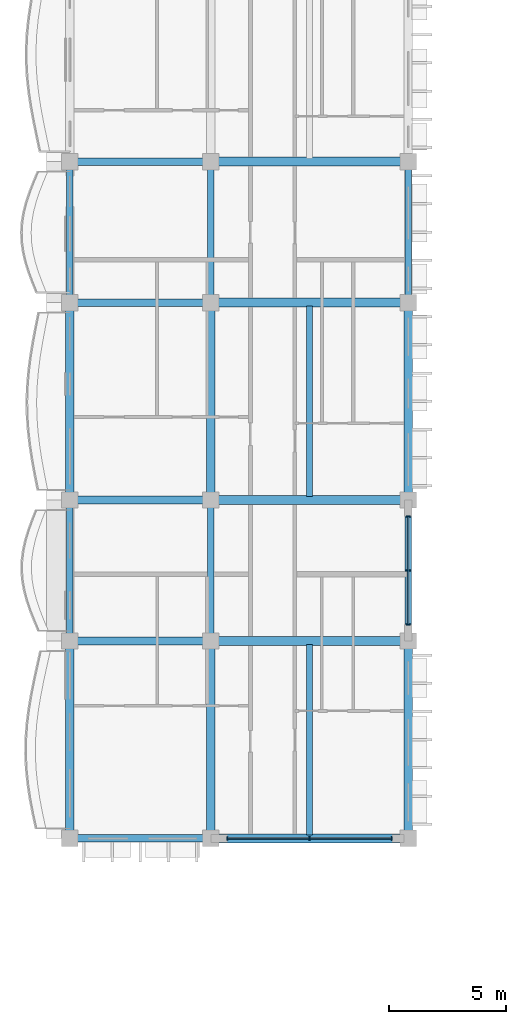
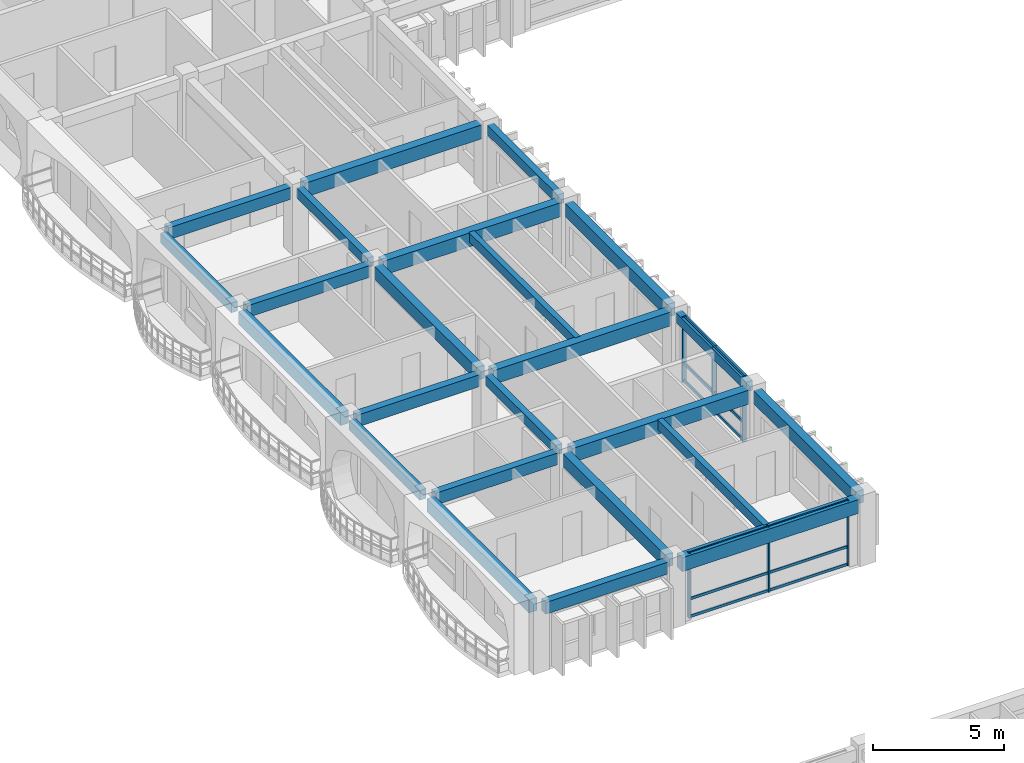
# One storey, part 7 of 76: 24 beams, 12 members, 2 elements without a shape of their own.
"""IFC4 building model written with IfcOpenShell, lengths in metres."""

from ifc_helpers import new_model, si_unit, direction, frame, origin, origin_2d, place, context, subcontext, project, spatial, rectangle, extrude, material, material_profile, profile_set, type_object, element, aggregate, save


model = new_model("IFC4")

# Units and contexts
model_context = context("Model", 3, precision=1e-05, world=origin(), true_north=direction((0.0, 1.0)))
body_context = subcontext(model_context, "Body", "Model", "MODEL_VIEW")
ifc_project = project(units=[si_unit("LENGTHUNIT", "METRE"), si_unit("AREAUNIT", "SQUARE_METRE"), si_unit("VOLUMEUNIT", "CUBIC_METRE"), si_unit("PLANEANGLEUNIT", "RADIAN"), si_unit("MASSUNIT", "GRAM", prefix="KILO"), si_unit("THERMODYNAMICTEMPERATUREUNIT", "KELVIN")], contexts=[model_context])

# Site, building, storey
site_placement = place(None, origin())
site = spatial("IfcSite", under=ifc_project, at=site_placement, CompositionType="ELEMENT")
building_placement = place(site_placement, origin())
building = spatial("IfcBuilding", under=site, at=building_placement, Name="Thalorik Housing Commons", CompositionType="ELEMENT")
storey_placement = place(building_placement, frame((0.0, 0.0, 18.0)))
storey = spatial("IfcBuildingStorey", under=building, at=storey_placement, Name="L05", CompositionType="ELEMENT", Elevation=18.0)

# Curtain wall, members
ifc_material_1 = material(Name="Anodised aluminium and solar-control low-E glass", Category="aluminium")
curtain_wall_type = type_object("IfcCurtainWallType", Name="ARC-CW-LOUNGE", PredefinedType="USERDEFINED", material=ifc_material_1)
curtain_wall_1_placement = place(storey_placement, origin())
curtain_wall_1 = element("IfcCurtainWall", 1, at=curtain_wall_1_placement, inside=storey, type_object=curtain_wall_type, Name="L05 Curtain Wall CW-RES-L05-A-025", ObjectType="CURTAIN WALL", PredefinedType="USERDEFINED")
ifc_material_2 = material(Name="Anodised aluminium 6063-T6", Category="aluminium")
ifc_material_profile_1 = material_profile(ifc_material_2, rectangle(XDim=0.06005859375, YDim=0.159912109375, at=origin_2d()), Name="ALU MUL 60x160", Category="aluminium")
ifc_profile_set_1 = profile_set([ifc_material_profile_1], Name="Anodised aluminium 6063-T6")
member_type_1 = type_object("IfcMemberType", Name="ARC-CW-MUL-60x160", PredefinedType="MULLION", material=ifc_profile_set_1)
member_1_placement = place(storey_placement, frame((15.10009765625, 72.0, 0.0), z_axis=(0.0, 0.0, 1.0), x_axis=(1.0, 0.0, 0.0)))
member_1 = element("IfcMember", 2, at=member_1_placement, type_object=member_type_1, Name="CW-RES-L05-A-025 Mullion 1", PredefinedType="MULLION", context=body_context, shape_type="SweptSolid", body=[
    extrude(rectangle(XDim=0.06005859375, YDim=0.159912109375, at=origin_2d()), origin(), (0.0, 0.0, 1.0), 3.0400390625),
])
member_2_placement = place(storey_placement, frame((18.60009765625, 72.0, 0.0), z_axis=(0.0, 0.0, 1.0), x_axis=(1.0, 0.0, 0.0)))
member_2 = element("IfcMember", 3, at=member_2_placement, type_object=member_type_1, Name="CW-RES-L05-A-025 Mullion 2", PredefinedType="MULLION", context=body_context, shape_type="SweptSolid", body=[
    extrude(rectangle(XDim=0.06005859375, YDim=0.159912109375, at=origin_2d()), origin(), (0.0, 0.0, 1.0), 3.0400390625),
])
member_3_placement = place(storey_placement, frame((22.10009765625, 72.0, 0.0), z_axis=(0.0, 0.0, 1.0), x_axis=(1.0, 0.0, 0.0)))
member_3 = element("IfcMember", 4, at=member_3_placement, type_object=member_type_1, Name="CW-RES-L05-A-025 Mullion 3", PredefinedType="MULLION", context=body_context, shape_type="SweptSolid", body=[
    extrude(rectangle(XDim=0.06005859375, YDim=0.159912109375, at=origin_2d()), origin(), (0.0, 0.0, 1.0), 3.0400390625),
])

curtain_wall_2_placement = place(storey_placement, origin())
curtain_wall_2 = element("IfcCurtainWall", 5, at=curtain_wall_2_placement, inside=storey, type_object=curtain_wall_type, Name="L05 Curtain Wall CW-RES-L05-A-026", ObjectType="CURTAIN WALL", PredefinedType="USERDEFINED")
ifc_material_profile_2 = material_profile(ifc_material_2, rectangle(XDim=0.06494140625, YDim=0.179931640625, at=origin_2d()), Name="ALU MUL 65x180", Category="aluminium")
ifc_profile_set_2 = profile_set([ifc_material_profile_2], Name="Anodised aluminium 6063-T6")
member_type_2 = type_object("IfcMemberType", Name="ARC-CW-MUL-65x180", PredefinedType="MULLION", material=ifc_profile_set_2)
member_4_placement = place(storey_placement, frame((22.800048828125, 81.10009765625, 0.0), z_axis=(0.0, 0.0, 1.0), x_axis=(0.0, 1.0, 0.0)))
member_4 = element("IfcMember", 6, at=member_4_placement, type_object=member_type_2, Name="CW-RES-L05-A-026 Mullion 1", PredefinedType="MULLION", context=body_context, shape_type="SweptSolid", body=[
    extrude(rectangle(XDim=0.06494140625, YDim=0.179931640625, at=origin_2d()), origin(), (0.0, 0.0, 1.0), 3.0400390625),
])
member_5_placement = place(storey_placement, frame((22.800048828125, 83.39990234375, 0.0), z_axis=(0.0, 0.0, 1.0), x_axis=(0.0, 1.0, 0.0)))
member_5 = element("IfcMember", 7, at=member_5_placement, type_object=member_type_2, Name="CW-RES-L05-A-026 Mullion 2", PredefinedType="MULLION", context=body_context, shape_type="SweptSolid", body=[
    extrude(rectangle(XDim=0.06494140625, YDim=0.179931640625, at=origin_2d()), origin(), (0.0, 0.0, 1.0), 3.0400390625),
])
member_6_placement = place(storey_placement, frame((22.800048828125, 85.699951171875, 0.0), z_axis=(0.0, 0.0, 1.0), x_axis=(0.0, 1.0, 0.0)))
member_6 = element("IfcMember", 8, at=member_6_placement, type_object=member_type_2, Name="CW-RES-L05-A-026 Mullion 3", PredefinedType="MULLION", context=body_context, shape_type="SweptSolid", body=[
    extrude(rectangle(XDim=0.06494140625, YDim=0.179931640625, at=origin_2d()), origin(), (0.0, 0.0, 1.0), 3.0400390625),
])

# Member
ifc_material_profile_3 = material_profile(ifc_material_2, rectangle(XDim=0.06005859375, YDim=0.1201171875, at=origin_2d()), Name="ALU TRN 60x120", Category="aluminium")
ifc_profile_set_3 = profile_set([ifc_material_profile_3], Name="Anodised aluminium 6063-T6")
member_type_3 = type_object("IfcMemberType", Name="ARC-CW-TRN-60x120", PredefinedType="USERDEFINED", material=ifc_profile_set_3)
member_7_placement = place(storey_placement, frame((15.10009765625, 72.0, 0.054931640625), z_axis=(1.0, 0.0, 0.0), x_axis=(0.0, 1.0, 0.0)))
member_7 = element("IfcMember", 9, at=member_7_placement, type_object=member_type_3, Name="CW-RES-L05-A-025 Transom 1", ObjectType="TRANSOM", PredefinedType="USERDEFINED", context=body_context, shape_type="SweptSolid", body=[
    extrude(rectangle(XDim=0.06005859375, YDim=0.1201171875, at=origin_2d()), origin(), (0.0, 0.0, 1.0), 7.0),
])

member_8_placement = place(storey_placement, frame((15.10009765625, 72.0, 0.8798828125), z_axis=(1.0, 0.0, 0.0), x_axis=(0.0, 1.0, 0.0)))
member_8 = element("IfcMember", 10, at=member_8_placement, type_object=member_type_3, Name="CW-RES-L05-A-025 Transom 2", ObjectType="TRANSOM", PredefinedType="USERDEFINED", context=body_context, shape_type="SweptSolid", body=[
    extrude(rectangle(XDim=0.06005859375, YDim=0.1201171875, at=origin_2d()), origin(), (0.0, 0.0, 1.0), 7.0),
])

member_9_placement = place(storey_placement, frame((15.10009765625, 72.0, 2.985107421875), z_axis=(1.0, 0.0, 0.0), x_axis=(0.0, 1.0, 0.0)))
member_9 = element("IfcMember", 11, at=member_9_placement, type_object=member_type_3, Name="CW-RES-L05-A-025 Transom 3", ObjectType="TRANSOM", PredefinedType="USERDEFINED", context=body_context, shape_type="SweptSolid", body=[
    extrude(rectangle(XDim=0.06005859375, YDim=0.1201171875, at=origin_2d()), origin(), (0.0, 0.0, 1.0), 7.0),
])

aggregate(curtain_wall_1, [member_1, member_2, member_3, member_7, member_8, member_9])

ifc_material_profile_4 = material_profile(ifc_material_2, rectangle(XDim=0.06494140625, YDim=0.14990234375, at=origin_2d()), Name="ALU TRN 65x150", Category="aluminium")
ifc_profile_set_4 = profile_set([ifc_material_profile_4], Name="Anodised aluminium 6063-T6")
member_type_4 = type_object("IfcMemberType", Name="ARC-CW-TRN-65x150", PredefinedType="USERDEFINED", material=ifc_profile_set_4)
member_10_placement = place(storey_placement, frame((22.800048828125, 81.10009765625, 0.054931640625), z_axis=(0.0, 1.0, 0.0), x_axis=(-1.0, 0.0, 0.0)))
member_10 = element("IfcMember", 12, at=member_10_placement, type_object=member_type_4, Name="CW-RES-L05-A-026 Transom 1", ObjectType="TRANSOM", PredefinedType="USERDEFINED", context=body_context, shape_type="SweptSolid", body=[
    extrude(rectangle(XDim=0.06494140625, YDim=0.14990234375, at=origin_2d()), origin(), (0.0, 0.0, 1.0), 4.599853515625),
])

member_11_placement = place(storey_placement, frame((22.800048828125, 81.10009765625, 0.8798828125), z_axis=(0.0, 1.0, 0.0), x_axis=(-1.0, 0.0, 0.0)))
member_11 = element("IfcMember", 13, at=member_11_placement, type_object=member_type_4, Name="CW-RES-L05-A-026 Transom 2", ObjectType="TRANSOM", PredefinedType="USERDEFINED", context=body_context, shape_type="SweptSolid", body=[
    extrude(rectangle(XDim=0.06494140625, YDim=0.14990234375, at=origin_2d()), origin(), (0.0, 0.0, 1.0), 4.599853515625),
])

member_12_placement = place(storey_placement, frame((22.800048828125, 81.10009765625, 2.985107421875), z_axis=(0.0, 1.0, 0.0), x_axis=(-1.0, 0.0, 0.0)))
member_12 = element("IfcMember", 14, at=member_12_placement, type_object=member_type_4, Name="CW-RES-L05-A-026 Transom 3", ObjectType="TRANSOM", PredefinedType="USERDEFINED", context=body_context, shape_type="SweptSolid", body=[
    extrude(rectangle(XDim=0.06494140625, YDim=0.14990234375, at=origin_2d()), origin(), (0.0, 0.0, 1.0), 4.599853515625),
])

aggregate(curtain_wall_2, [member_4, member_5, member_6, member_10, member_11, member_12])

# Beams
ifc_material_3 = material(Name="Precast concrete C40/50", Category="concrete")
ifc_material_profile_5 = material_profile(ifc_material_3, rectangle(XDim=0.280029296875, YDim=0.449951171875, at=origin_2d()), Name="PC 280x450", Category="concrete")
ifc_profile_set_5 = profile_set([ifc_material_profile_5], Name="Precast concrete C40/50")
beam_type_1 = type_object("IfcBeamType", Name="STR-BM-PC280x450", PredefinedType="BEAM", material=ifc_profile_set_5)
beam_1_placement = place(storey_placement, frame((8.39990234375, 80.699951171875, 2.81494140625), z_axis=(0.0, 1.0, 0.0), x_axis=(-1.0, 0.0, 0.0)))
element("IfcBeam", 15, at=beam_1_placement, inside=storey, type_object=beam_type_1, Name="L05 Beam B-450", PredefinedType="BEAM", context=body_context, shape_type="SweptSolid", body=[
    extrude(rectangle(XDim=0.280029296875, YDim=0.449951171875, at=origin_2d()), origin(), (0.0, 0.0, 1.0), 5.400146484375),
])
beam_2_placement = place(storey_placement, frame((8.39990234375, 95.10009765625, 2.81494140625), z_axis=(0.0, 1.0, 0.0), x_axis=(-1.0, 0.0, 0.0)))
element("IfcBeam", 16, at=beam_2_placement, inside=storey, type_object=beam_type_1, Name="L05 Beam B-450", PredefinedType="BEAM", context=body_context, shape_type="SweptSolid", body=[
    extrude(rectangle(XDim=0.280029296875, YDim=0.449951171875, at=origin_2d()), origin(), (0.0, 0.0, 1.0), 5.39990234375),
])
beam_3_placement = place(storey_placement, frame((14.39990234375, 80.699951171875, 2.81494140625), z_axis=(0.0, 1.0, 0.0), x_axis=(-1.0, 0.0, 0.0)))
element("IfcBeam", 17, at=beam_3_placement, inside=storey, type_object=beam_type_1, Name="L05 Beam B-450", PredefinedType="BEAM", context=body_context, shape_type="SweptSolid", body=[
    extrude(rectangle(XDim=0.280029296875, YDim=0.449951171875, at=origin_2d()), origin(), (0.0, 0.0, 1.0), 5.400146484375),
])
beam_4_placement = place(storey_placement, frame((14.39990234375, 95.10009765625, 2.81494140625), z_axis=(0.0, 1.0, 0.0), x_axis=(-1.0, 0.0, 0.0)))
element("IfcBeam", 18, at=beam_4_placement, inside=storey, type_object=beam_type_1, Name="L05 Beam B-450", PredefinedType="BEAM", context=body_context, shape_type="SweptSolid", body=[
    extrude(rectangle(XDim=0.280029296875, YDim=0.449951171875, at=origin_2d()), origin(), (0.0, 0.0, 1.0), 5.39990234375),
])
beam_5_placement = place(storey_placement, frame((22.800048828125, 80.699951171875, 2.81494140625), z_axis=(0.0, 1.0, 0.0), x_axis=(-1.0, 0.0, 0.0)))
element("IfcBeam", 19, at=beam_5_placement, inside=storey, type_object=beam_type_1, Name="L05 Beam B-450", PredefinedType="BEAM", context=body_context, shape_type="SweptSolid", body=[
    extrude(rectangle(XDim=0.280029296875, YDim=0.449951171875, at=origin_2d()), origin(), (0.0, 0.0, 1.0), 5.400146484375),
])
beam_6_placement = place(storey_placement, frame((22.800048828125, 95.10009765625, 2.81494140625), z_axis=(0.0, 1.0, 0.0), x_axis=(-1.0, 0.0, 0.0)))
element("IfcBeam", 20, at=beam_6_placement, inside=storey, type_object=beam_type_1, Name="L05 Beam B-450", PredefinedType="BEAM", context=body_context, shape_type="SweptSolid", body=[
    extrude(rectangle(XDim=0.280029296875, YDim=0.449951171875, at=origin_2d()), origin(), (0.0, 0.0, 1.0), 5.39990234375),
])
ifc_material_profile_6 = material_profile(ifc_material_3, rectangle(XDim=0.320068359375, YDim=0.550048828125, at=origin_2d()), Name="PC 320x550", Category="concrete")
ifc_profile_set_6 = profile_set([ifc_material_profile_6], Name="Precast concrete C40/50")
beam_type_2 = type_object("IfcBeamType", Name="STR-BM-PC320x550", PredefinedType="BEAM", material=ifc_profile_set_6)
for number, where, z_axis, x_axis, name in (
    (21, (8.699951171875, 72.0, 2.764892578125), (1.0, 0.0, 0.0), (0.0, 1.0, 0.0), "L05 Beam B-550"),
    (22, (8.699951171875, 80.39990234375, 2.764892578125), (1.0, 0.0, 0.0), (0.0, 1.0, 0.0), "L05 Beam B-550"),
    (23, (8.699951171875, 86.39990234375, 2.764892578125), (1.0, 0.0, 0.0), (0.0, 1.0, 0.0), "L05 Beam B-550"),
    (24, (8.699951171875, 94.800048828125, 2.764892578125), (1.0, 0.0, 0.0), (0.0, 1.0, 0.0), "L05 Beam B-550"),
    (25, (8.699951171875, 100.800048828125, 2.764892578125), (1.0, 0.0, 0.0), (0.0, 1.0, 0.0), "L05 Beam B-550"),
):
    element("IfcBeam", number, at=place(storey_placement, frame(where, z_axis=z_axis, x_axis=x_axis)), inside=storey, type_object=beam_type_2, Name=name, PredefinedType="BEAM", context=body_context, shape_type="SweptSolid", body=[
        extrude(rectangle(XDim=0.320068359375, YDim=0.550048828125, at=origin_2d()), origin(), (0.0, 0.0, 1.0), 5.400146484375),
    ])
ifc_material_profile_7 = material_profile(ifc_material_3, rectangle(XDim=0.35009765625, YDim=0.60009765625, at=origin_2d()), Name="PC 350x600", Category="concrete")
ifc_profile_set_7 = profile_set([ifc_material_profile_7], Name="Precast concrete C40/50")
beam_type_3 = type_object("IfcBeamType", Name="STR-BM-PC350x600", PredefinedType="BEAM", material=ifc_profile_set_7)
for number, where, z_axis, x_axis, name in (
    (26, (8.39990234375, 72.300048828125, 2.739990234375), (0.0, 1.0, 0.0), (-1.0, 0.0, 0.0), "L05 Beam B-600"),
    (27, (8.39990234375, 86.699951171875, 2.739990234375), (0.0, 1.0, 0.0), (-1.0, 0.0, 0.0), "L05 Beam B-600"),
    (28, (14.39990234375, 72.300048828125, 2.739990234375), (0.0, 1.0, 0.0), (-1.0, 0.0, 0.0), "L05 Beam B-600"),
    (29, (14.39990234375, 86.699951171875, 2.739990234375), (0.0, 1.0, 0.0), (-1.0, 0.0, 0.0), "L05 Beam B-600"),
    (30, (22.800048828125, 72.300048828125, 2.739990234375), (0.0, 1.0, 0.0), (-1.0, 0.0, 0.0), "L05 Beam B-600"),
    (31, (22.800048828125, 86.699951171875, 2.739990234375), (0.0, 1.0, 0.0), (-1.0, 0.0, 0.0), "L05 Beam B-600"),
):
    element("IfcBeam", number, at=place(storey_placement, frame(where, z_axis=z_axis, x_axis=x_axis)), inside=storey, type_object=beam_type_3, Name=name, PredefinedType="BEAM", context=body_context, shape_type="SweptSolid", body=[
        extrude(rectangle(XDim=0.35009765625, YDim=0.60009765625, at=origin_2d()), origin(), (0.0, 0.0, 1.0), 7.800048828125),
    ])
ifc_material_profile_8 = material_profile(ifc_material_3, rectangle(XDim=0.3798828125, YDim=0.64990234375, at=origin_2d()), Name="PC 380x650", Category="concrete")
ifc_profile_set_8 = profile_set([ifc_material_profile_8], Name="Precast concrete C40/50")
beam_type_4 = type_object("IfcBeamType", Name="STR-BM-PC380x650", PredefinedType="BEAM", material=ifc_profile_set_8)
for number, where, z_axis, x_axis, name in (
    (32, (14.699951171875, 72.0, 2.715087890625), (1.0, 0.0, 0.0), (0.0, 1.0, 0.0), "L05 Beam B-650"),
    (33, (14.699951171875, 80.39990234375, 2.715087890625), (1.0, 0.0, 0.0), (0.0, 1.0, 0.0), "L05 Beam B-650"),
    (34, (14.699951171875, 86.39990234375, 2.715087890625), (1.0, 0.0, 0.0), (0.0, 1.0, 0.0), "L05 Beam B-650"),
    (35, (14.699951171875, 94.800048828125, 2.715087890625), (1.0, 0.0, 0.0), (0.0, 1.0, 0.0), "L05 Beam B-650"),
    (36, (14.699951171875, 100.800048828125, 2.715087890625), (1.0, 0.0, 0.0), (0.0, 1.0, 0.0), "L05 Beam B-650"),
):
    element("IfcBeam", number, at=place(storey_placement, frame(where, z_axis=z_axis, x_axis=x_axis)), inside=storey, type_object=beam_type_4, Name=name, PredefinedType="BEAM", context=body_context, shape_type="SweptSolid", body=[
        extrude(rectangle(XDim=0.3798828125, YDim=0.64990234375, at=origin_2d()), origin(), (0.0, 0.0, 1.0), 7.800048828125),
    ])
ifc_material_profile_9 = material_profile(ifc_material_3, rectangle(XDim=0.239990234375, YDim=0.43994140625, at=origin_2d()), Name="PC JST 240x440", Category="concrete")
ifc_profile_set_9 = profile_set([ifc_material_profile_9], Name="Precast concrete C40/50")
beam_type_5 = type_object("IfcBeamType", Name="STR-JST-PC240x440", PredefinedType="JOIST", material=ifc_profile_set_9)
beam_7_placement = place(storey_placement, frame((18.60009765625, 72.139892578125, 2.820068359375), z_axis=(0.0, 1.0, 0.0), x_axis=(-1.0, 0.0, 0.0)))
element("IfcBeam", 37, at=beam_7_placement, inside=storey, type_object=beam_type_5, Name="L05 Beam J-440", PredefinedType="JOIST", context=body_context, shape_type="SweptSolid", body=[
    extrude(rectangle(XDim=0.239990234375, YDim=0.43994140625, at=origin_2d()), origin(), (0.0, 0.0, 1.0), 8.1201171875),
])
beam_8_placement = place(storey_placement, frame((18.60009765625, 86.5400390625, 2.820068359375), z_axis=(0.0, 1.0, 0.0), x_axis=(-1.0, 0.0, 0.0)))
element("IfcBeam", 38, at=beam_8_placement, inside=storey, type_object=beam_type_5, Name="L05 Beam J-440", PredefinedType="JOIST", context=body_context, shape_type="SweptSolid", body=[
    extrude(rectangle(XDim=0.239990234375, YDim=0.43994140625, at=origin_2d()), origin(), (0.0, 0.0, 1.0), 8.119873046875),
])

save(model, "model.ifc")
